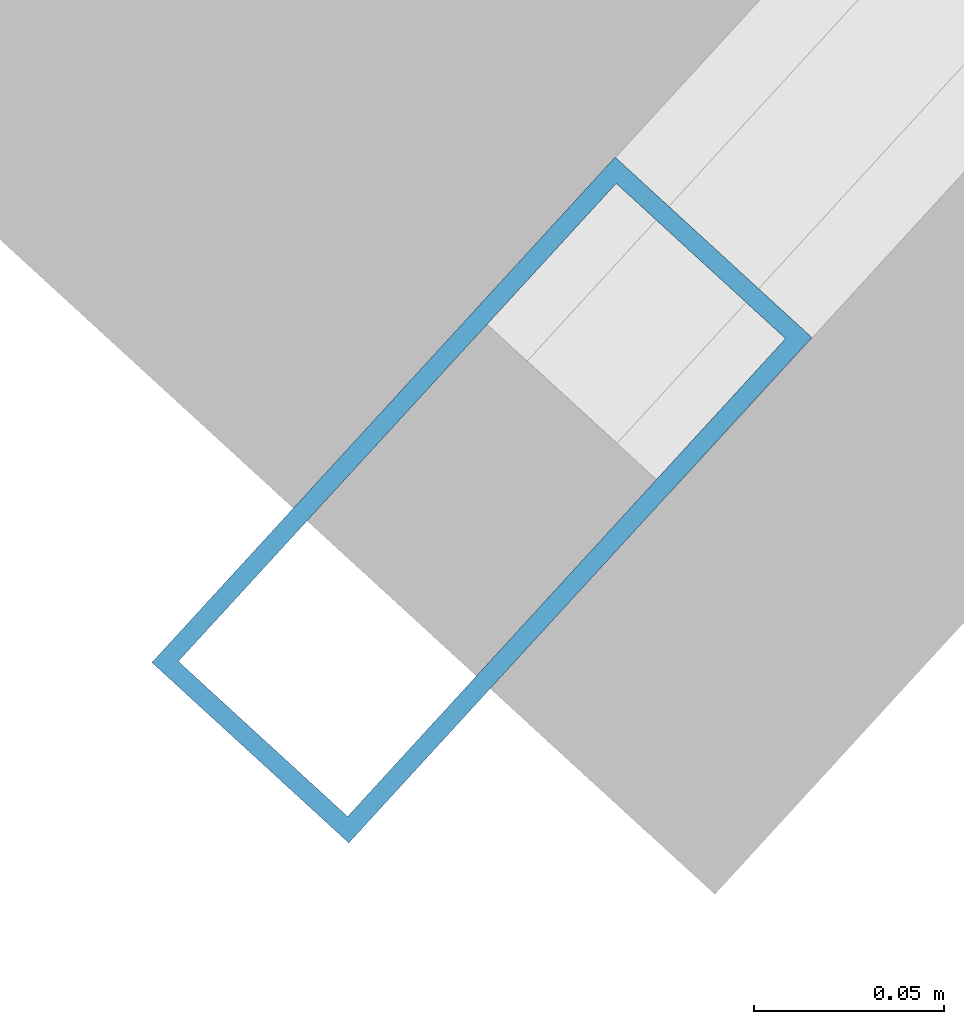
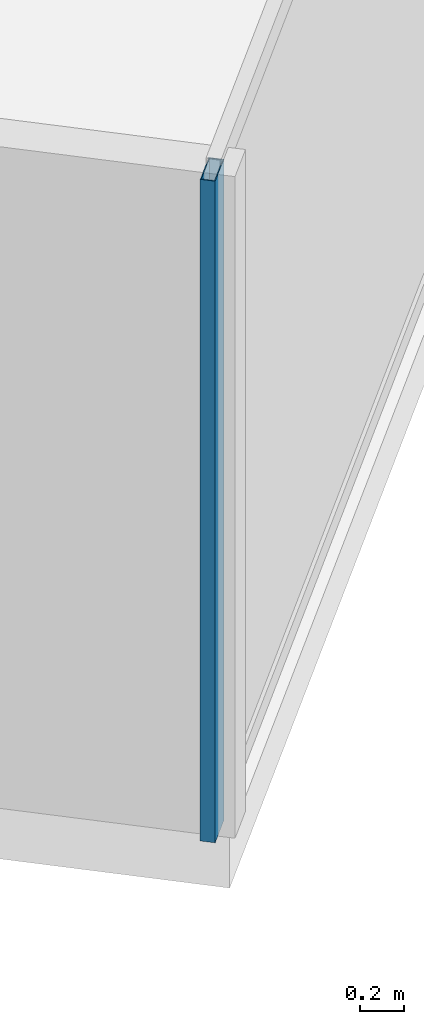
# One storey, part 4 of 26: 1 member, 1 element without a shape of its own.
"""IFC4 building model written with IfcOpenShell, lengths in metres."""

from ifc_helpers import new_model, si_unit, direction, frame, origin, origin_2d, place, context, subcontext, project, spatial, hollow_rectangle, extrude, source, transform, mapped, material, material_profile, profile_set, type_object, type_shapes, element, aggregate, save


model = new_model("IFC4")

# Units and contexts
model_context = context("Model", 3, precision=1e-05, world=origin(), true_north=direction((0.0, 1.0)))
body_context = subcontext(model_context, "Body", "Model", "MODEL_VIEW")
ifc_project = project(units=[si_unit("LENGTHUNIT", "METRE"), si_unit("AREAUNIT", "SQUARE_METRE"), si_unit("VOLUMEUNIT", "CUBIC_METRE"), si_unit("PLANEANGLEUNIT", "RADIAN"), si_unit("MASSUNIT", "GRAM", prefix="KILO")], contexts=[model_context])

# Site, building, storey
site_placement = place(None, origin())
site = spatial("IfcSite", under=ifc_project, at=site_placement, CompositionType="ELEMENT")
building_placement = place(site_placement, origin())
building = spatial("IfcBuilding", under=site, at=building_placement, Name="Krantzveldt Concourse Tower", CompositionType="ELEMENT")
storey_placement = place(building_placement, frame((0.0, 0.0, 223.10009765625)))
storey = spatial("IfcBuildingStorey", under=building, at=storey_placement, Name="L54", CompositionType="ELEMENT", Elevation=223.10009765625)

# Curtain wall, member
ifc_material = material(Name="Anodised aluminium 6063-T6", Category="aluminium")
curtain_wall_type = type_object("IfcCurtainWallType", Name="CW3", PredefinedType="USERDEFINED", material=ifc_material)
curtain_wall_placement = place(storey_placement, origin())
curtain_wall = element("IfcCurtainWall", 1, at=curtain_wall_placement, inside=storey, type_object=curtain_wall_type, Name="CW-L54-F07", ObjectType="UNITISED CURTAIN WALL", PredefinedType="USERDEFINED")
ifc_material_profile = material_profile(ifc_material, hollow_rectangle(XDim=0.070068359375, YDim=0.179931640625, WallThickness=0.0048828125, at=origin_2d()), Name="Anodised aluminium 6063-T6", Category="aluminium")
ifc_profile_set = profile_set([ifc_material_profile], Name="Anodised aluminium 6063-T6 - ALU-MULL 180x70x5")
member_type = type_object("IfcMemberType", Name="CW-MUL-180", PredefinedType="MULLION", material=ifc_profile_set)
shared_shape = source(origin(), body_context, "Body", "SweptSolid", [
    extrude(hollow_rectangle(XDim=0.070068359375, YDim=0.179931640625, WallThickness=0.0048828125, at=origin_2d()), origin(), (0.0, 0.0, 1.0), 3.669921875),
])
type_shapes(member_type, [shared_shape])
member_placement = place(storey_placement, frame((40.599853515625, 1.50927734375, 0.0), z_axis=(0.0, 0.0, 1.0), x_axis=(-0.737277769208, 0.675589735736, 0.0)))
member = element("IfcMember", 2, at=member_placement, type_object=member_type, Name="CW-Z34 mullion 1", PredefinedType="MULLION", context=body_context, shape_type="MappedRepresentation", body=[
    mapped(shared_shape, transform((0.0, 0.0, 0.0), x_axis=(1.0, 0.0, 0.0), y_axis=(0.0, 1.0, 0.0), z_axis=(0.0, 0.0, 1.0), scale=1.0)),
])
aggregate(curtain_wall, [member])

save(model, "model.ifc")
